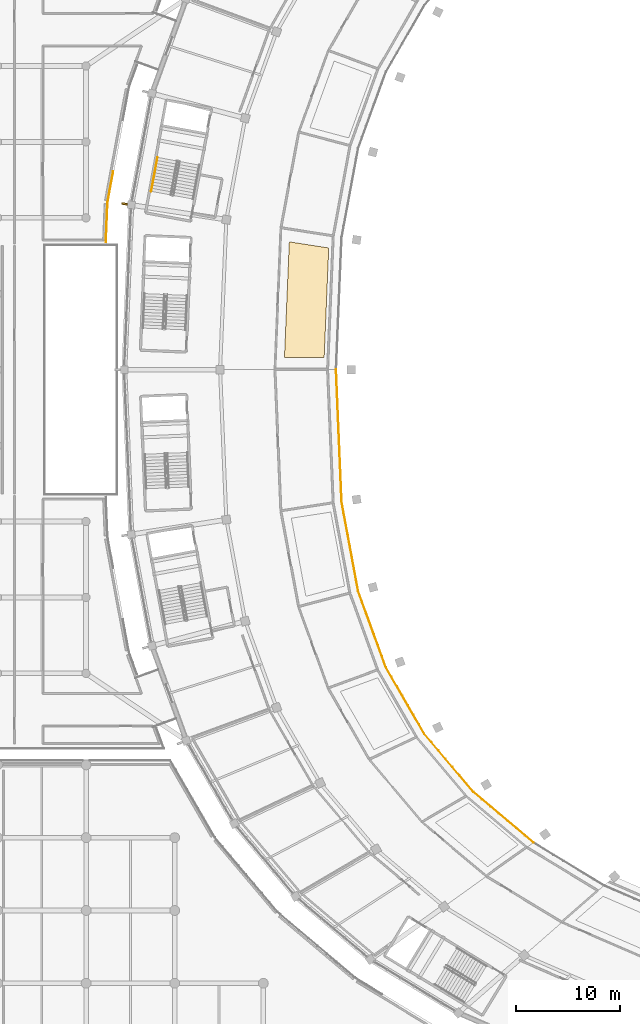
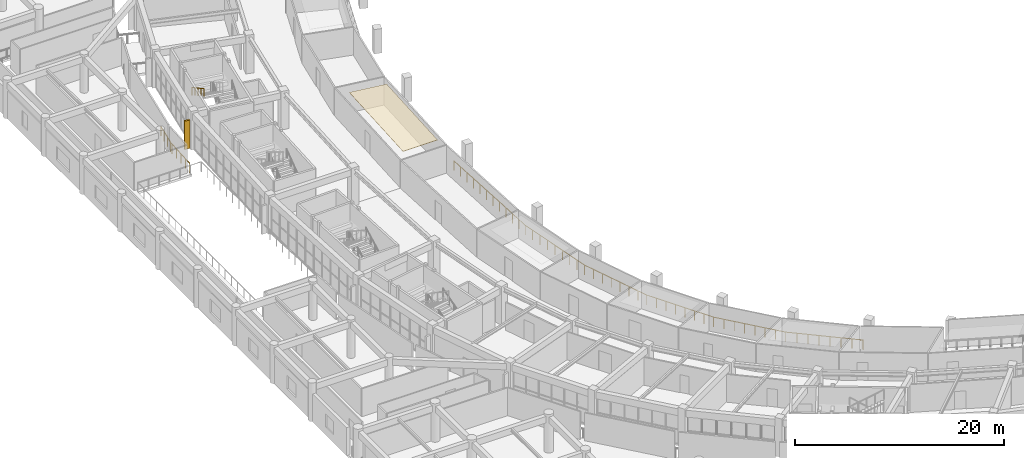
# One storey, part 122 of 141: 3 railings, 1 covering, 1 shading device.
"""IFC4 building model written with IfcOpenShell, lengths in metres."""

import ifcopenshell
import ifcopenshell.guid

model = None  # the IFC model being written
_history = None  # IfcOwnerHistory: only IFC2X3 demands one
_inside = {}  # id of a spatial element -> (the spatial element, [elements in it])
_under = {}  # id of a project, library or spatial element -> (it, [spatial elements below it])
_declared = {}  # id of a project -> (the project, [libraries it declares])
_typed = {}  # id of a type object -> (the type object, [elements of that type])
_made_of = {}  # id of a material, layer set ... -> (it, [elements and type objects made of it])


def new_model(schema):
    """Start an empty IFC model of exactly this schema.

    Asked for "IFC4X3", IfcOpenShell would pick the latest addendum, in which some entities
    have other attributes; the version numbers below select the first issue.
    IFC2X3 requires an IfcOwnerHistory on every rooted entity: one is made here for all.
    """
    global model, _history
    if schema == "IFC4X3":
        model = ifcopenshell.file(schema_version=(4, 3, 0, 0))
    else:
        model = ifcopenshell.file(schema=schema)
    _inside.clear()
    _under.clear()
    _declared.clear()
    _typed.clear()
    _made_of.clear()
    _history = None
    if model.schema == "IFC2X3":
        org = make("IfcOrganization", Name="unknown")
        user = make(
            "IfcPersonAndOrganization",
            ThePerson=make("IfcPerson", FamilyName="unknown"),
            TheOrganization=org,
        )
        app = make(
            "IfcApplication",
            ApplicationDeveloper=org,
            Version="unknown",
            ApplicationFullName="unknown",
            ApplicationIdentifier="unknown",
        )
        _history = make(
            "IfcOwnerHistory",
            OwningUser=user,
            OwningApplication=app,
            ChangeAction="ADDED",
            CreationDate=0,
        )
    return model


def make(cls, **values):
    """One entity of the class cls with the attributes given. An attribute that is None is left unset."""
    return model.create_entity(
        cls, **{name: value for name, value in values.items() if value is not None}
    )


def rooted(cls, **values):
    """An entity with a GlobalId (a new one), such as an element, a storey or a relation."""
    return make(cls, GlobalId=ifcopenshell.guid.new(), OwnerHistory=_history, **values)


def si_unit(unit_type, name, prefix=None):
    """IfcSIUnit, for example si_unit("LENGTHUNIT", "METRE", prefix="MILLI")."""
    return make("IfcSIUnit", UnitType=unit_type, Prefix=prefix, Name=name)


def assignment(units):
    """IfcUnitAssignment: the units of a project."""
    return None if units is None else make("IfcUnitAssignment", Units=units)


def point(xyz):
    """IfcCartesianPoint."""
    return None if xyz is None else make("IfcCartesianPoint", Coordinates=xyz)


def direction(xyz):
    """IfcDirection."""
    return None if xyz is None else make("IfcDirection", DirectionRatios=xyz)


def frame(location, z_axis=None, x_axis=None):
    """IfcAxis2Placement3D, a coordinate frame: its origin and axes. An axis left out is left unset."""
    return make(
        "IfcAxis2Placement3D",
        Location=point(location),
        Axis=direction(z_axis),
        RefDirection=direction(x_axis),
    )


def frame_2d(location, x_axis=None):
    """IfcAxis2Placement2D, a coordinate frame in the plane: its origin and x axis."""
    return make(
        "IfcAxis2Placement2D", Location=point(location), RefDirection=direction(x_axis)
    )


def origin():
    """The frame at (0, 0, 0) with its axes left unset."""
    return frame((0.0, 0.0, 0.0))


def origin_2d():
    """The frame at (0, 0) in the plane with its x axis left unset."""
    return frame_2d((0.0, 0.0))


def place(relative_to, where):
    """IfcLocalPlacement: puts the frame where relative to a parent placement (None: the world)."""
    return make(
        "IfcLocalPlacement", PlacementRelTo=relative_to, RelativePlacement=where
    )


def context(
    kind, dimensions, precision=None, world=None, true_north=None, identifier=None
):
    """IfcGeometricRepresentationContext, for example the 3D "Model" context."""
    return make(
        "IfcGeometricRepresentationContext",
        ContextIdentifier=identifier,
        ContextType=kind,
        CoordinateSpaceDimension=dimensions,
        Precision=precision,
        WorldCoordinateSystem=world,
        TrueNorth=true_north,
    )


def subcontext(parent, identifier, kind, view, scale=None):
    """IfcGeometricRepresentationSubContext, for example "Body" below "Model"."""
    return make(
        "IfcGeometricRepresentationSubContext",
        ContextIdentifier=identifier,
        ContextType=kind,
        ParentContext=parent,
        TargetScale=scale,
        TargetView=view,
    )


def project(units=None, contexts=None):
    """IfcProject with its units and contexts."""
    return rooted(
        "IfcProject",
        Name="project",
        RepresentationContexts=contexts,
        UnitsInContext=assignment(units),
    )


def spatial(cls, under=None, at=None, **own):
    """A site, building, storey or space (cls), placed at a placement, below another one or the project."""
    s = rooted(cls, ObjectPlacement=at, **own)
    if under is not None:
        _under.setdefault(under.id(), (under, []))[1].append(s)
    return s


def polyline(points):
    """IfcPolyline through the points."""
    return make("IfcPolyline", Points=[point(p) for p in points])


def profile(cls, at=None, kind="AREA", **sizes):
    """A parametric profile (cls). Its sizes go by their IFC names, for example OverallWidth=200.0."""
    return make(cls, ProfileType=kind, Position=at, **sizes)


def rectangle(**sizes):
    """IfcRectangleProfileDef."""
    return profile("IfcRectangleProfileDef", **sizes)


def circle(**sizes):
    """IfcCircleProfileDef."""
    return profile("IfcCircleProfileDef", **sizes)


def outline(outer, holes=None, kind="AREA"):
    """IfcArbitraryClosedProfileDef: a profile drawn as a closed curve; with holes, ...WithVoids."""
    if holes is None:
        return make("IfcArbitraryClosedProfileDef", ProfileType=kind, OuterCurve=outer)
    return make(
        "IfcArbitraryProfileDefWithVoids",
        ProfileType=kind,
        OuterCurve=outer,
        InnerCurves=holes,
    )


def extrude(swept, where, along, depth):
    """IfcExtrudedAreaSolid: the profile swept, set in the frame where, extruded along a direction by depth."""
    return make(
        "IfcExtrudedAreaSolid",
        SweptArea=swept,
        Position=where,
        ExtrudedDirection=direction(along),
        Depth=depth,
    )


def shape(context_of_items, identifier, shape_type, items):
    """IfcShapeRepresentation: the items that make up one representation, for example the "Body"."""
    return make(
        "IfcShapeRepresentation",
        ContextOfItems=context_of_items,
        RepresentationIdentifier=identifier,
        RepresentationType=shape_type,
        Items=items,
    )


def material(Name=None, Category=None):
    """IfcMaterial."""
    return make("IfcMaterial", Name=Name, Category=Category)


def layer(
    of_material, thickness, ventilated=None, Name=None, Category=None, Priority=None
):
    """IfcMaterialLayer: one layer of a wall or slab, of a material (None: an air gap)."""
    return make(
        "IfcMaterialLayer",
        Material=of_material,
        LayerThickness=thickness,
        IsVentilated=ventilated,
        Name=Name,
        Category=Category,
        Priority=Priority,
    )


def layer_set(layers, Name=None):
    """IfcMaterialLayerSet."""
    return make("IfcMaterialLayerSet", MaterialLayers=layers, LayerSetName=Name)


def made_of(thing, what):
    """Note that an element or type object is made of a material, layer set ...; save() writes the relation."""
    if what is not None:
        _made_of.setdefault(what.id(), (what, []))[1].append(thing)
    return thing


def type_object(cls, material=None, **own):
    """A type object (cls), such as IfcWallType, which elements share."""
    return made_of(rooted(cls, **own), material)


def element(
    cls,
    number,
    at=None,
    inside=None,
    cuts=None,
    type_object=None,
    material=None,
    context=None,
    identifier="Body",
    shape_type=None,
    held_by="IfcProductDefinitionShape",
    body=None,
    shapes=None,
    **own,
):
    """One element of the class cls, such as IfcWall. Its Tag is "e" and its number.

    at: its placement. inside: the storey or other place that contains it. cuts: it is an
    opening in that element (IfcRelVoidsElement). A single representation is given by context,
    identifier, shape_type and body (its items); several are given by shapes. held_by: the class
    of the entity that holds the representations. save() writes the other relations.
    """
    e = rooted(cls, Tag="e%d" % number, ObjectPlacement=at, **own)
    if body is not None:
        shapes = [shape(context, identifier, shape_type, body)]
    if shapes is not None:
        e.Representation = make(held_by, Representations=shapes)
    if inside is not None:
        _inside.setdefault(inside.id(), (inside, []))[1].append(e)
    if cuts is not None:
        rooted(
            "IfcRelVoidsElement", RelatingBuildingElement=cuts, RelatedOpeningElement=e
        )
    if type_object is not None:
        _typed.setdefault(type_object.id(), (type_object, []))[1].append(e)
    return made_of(e, material)


def aggregate(whole, parts):
    """IfcRelAggregates: a whole, such as a stair, and the parts it consists of."""
    return rooted("IfcRelAggregates", RelatingObject=whole, RelatedObjects=parts)


def save(model, path):
    """Write the relations noted so far, then the file.

    IfcRelAggregates (storeys below a building ...), IfcRelContainedInSpatialStructure (elements
    in a storey), IfcRelDefinesByType, IfcRelAssociatesMaterial and IfcRelDeclares: one each for
    every whole, place, type object, material and project.
    """
    for whole, parts in _under.values():
        aggregate(whole, parts)
    for where, things in _inside.values():
        rooted(
            "IfcRelContainedInSpatialStructure",
            RelatedElements=things,
            RelatingStructure=where,
        )
    for kind, things in _typed.values():
        rooted("IfcRelDefinesByType", RelatedObjects=things, RelatingType=kind)
    for what, things in _made_of.values():
        rooted("IfcRelAssociatesMaterial", RelatedObjects=things, RelatingMaterial=what)
    for by, libraries in _declared.values():
        rooted("IfcRelDeclares", RelatingContext=by, RelatedDefinitions=libraries)
    model.write(path)


model = new_model("IFC4")

# Units and contexts
model_context = context("Model", 3, precision=1e-05, world=origin(), true_north=direction((0.0, 1.0)))
body_context = subcontext(model_context, "Body", "Model", "MODEL_VIEW")
ifc_project = project(units=[si_unit("LENGTHUNIT", "METRE"), si_unit("AREAUNIT", "SQUARE_METRE"), si_unit("VOLUMEUNIT", "CUBIC_METRE"), si_unit("PLANEANGLEUNIT", "RADIAN"), si_unit("MASSUNIT", "GRAM", prefix="KILO")], contexts=[model_context])

# Site, building, storey
site_placement = place(None, origin())
site = spatial("IfcSite", under=ifc_project, at=site_placement, CompositionType="ELEMENT")
building_placement = place(site_placement, origin())
building = spatial("IfcBuilding", under=site, at=building_placement, Name="Mphavela Belvedere Stadium", CompositionType="ELEMENT")
storey_placement = place(building_placement, frame((0.0, 0.0, 14.699951171875)))
storey = spatial("IfcBuildingStorey", under=building, at=storey_placement, Name="L03", CompositionType="ELEMENT", Elevation=14.699951171875)

# Covering
ifc_material_1 = material(Name="Perforated acoustic mineral ceiling tile")
ifc_layer = layer(ifc_material_1, 0.0400390625)
ifc_layer_set = layer_set([ifc_layer], Name="Perforated acoustic mineral ceiling tile")
covering_type = type_object("IfcCoveringType", Name="COV-CEILING-ACOUSTIC", PredefinedType="CEILING", material=ifc_layer_set)
covering_placement = place(storey_placement, frame((0.0, 0.0, 3.199951171875)))
element("IfcCovering", 1, at=covering_placement, inside=storey, type_object=covering_type, Name="Concourse acoustic ceiling L03-24", PredefinedType="CEILING", context=body_context, shape_type="SweptSolid", body=[
    extrude(outline(polyline([(31.845703125, 98.70361328125), (31.40478515625, 88.1865234375), (27.5869140625, 88.1865234375), (28.052490234375, 99.291748046875), (31.845703125, 98.70361328125)])), origin(), (0.0, 0.0, 1.0), 0.0400390625),
])

# Railings
ifc_material_2 = material(Name="Bronze and laminated glass stadium balustrade", Category="glass")
railing_type_1 = type_object("IfcRailingType", Name="RAL-BALUSTRADE-1120", PredefinedType="BALUSTRADE", material=ifc_material_2)
railing_1_placement = place(storey_placement, frame((32.550048828125, 87.0, 0.0)))
element("IfcRailing", 2, at=railing_1_placement, inside=storey, type_object=railing_type_1, Name="Bowl safety balustrade l03_bowl S5", PredefinedType="BALUSTRADE", context=body_context, shape_type="SweptSolid", body=[
    extrude(circle(Radius=0.02392578125, at=origin_2d()), frame((0.0, 0.0, 1.09619140625), z_axis=(0.041909230152, -0.999121422265, 0.0), x_axis=(0.999121422265, 0.041909230152, 0.0)), (0.0, 0.0, 1.0), 12.717041015625),
    extrude(circle(Radius=0.02392578125, at=origin_2d()), frame((0.532958984375, -12.705810546875, 1.09619140625), z_axis=(0.182605307463, -0.983186300599, 0.0), x_axis=(0.983186300599, 0.182605307463, 0.0)), (0.0, 0.0, 1.0), 8.7412109375),
    extrude(circle(Radius=0.02392578125, at=origin_2d()), frame((2.129150390625, -21.300048828125, 1.09619140625), z_axis=(0.341057611605, -0.940042395622, 0.0), x_axis=(0.940042395622, 0.341057611605, 0.0)), (0.0, 0.0, 1.0), 7.77978515625),
    extrude(circle(Radius=0.02392578125, at=origin_2d()), frame((4.782470703125, -28.61328125, 1.09619140625), z_axis=(0.500554399388, -0.865705084456, 0.0), x_axis=(0.865705084456, 0.500554399388, 0.0)), (0.0, 0.0, 1.0), 7.390625),
    extrude(circle(Radius=0.02392578125, at=origin_2d()), frame((8.48193359375, -35.011474609375, 1.09619140625), z_axis=(0.645170891965, -0.764038297575, 0.0), x_axis=(0.764038297575, 0.645170891965, 0.0)), (0.0, 0.0, 1.0), 7.338623046875),
    extrude(circle(Radius=0.02392578125, at=origin_2d()), frame((13.216552734375, -40.618408203125, 1.09619140625), z_axis=(0.764258051407, -0.644910560356, 0.0), x_axis=(0.644910560356, 0.764258051407, 0.0)), (0.0, 0.0, 1.0), 7.5361328125),
    extrude(circle(Radius=0.02099609375, at=origin_2d()), origin(), (0.0, 0.0, 1.0), 1.072021484375),
    extrude(circle(Radius=0.02099609375, at=origin_2d()), frame((0.04833984375, -1.155029296875, 0.0)), (0.0, 0.0, 1.0), 1.072021484375),
    extrude(circle(Radius=0.02099609375, at=origin_2d()), frame((0.096923828125, -2.31005859375, 0.0)), (0.0, 0.0, 1.0), 1.072021484375),
    extrude(circle(Radius=0.02099609375, at=origin_2d()), frame((0.145263671875, -3.46533203125, 0.0)), (0.0, 0.0, 1.0), 1.072021484375),
    extrude(circle(Radius=0.02099609375, at=origin_2d()), frame((0.19384765625, -4.620361328125, 0.0)), (0.0, 0.0, 1.0), 1.072021484375),
    extrude(circle(Radius=0.02099609375, at=origin_2d()), frame((0.2421875, -5.775390625, 0.0)), (0.0, 0.0, 1.0), 1.072021484375),
    extrude(circle(Radius=0.02099609375, at=origin_2d()), frame((0.290771484375, -6.930419921875, 0.0)), (0.0, 0.0, 1.0), 1.072021484375),
    extrude(circle(Radius=0.02099609375, at=origin_2d()), frame((0.339111328125, -8.08544921875, 0.0)), (0.0, 0.0, 1.0), 1.072021484375),
    extrude(circle(Radius=0.02099609375, at=origin_2d()), frame((0.3876953125, -9.240478515625, 0.0)), (0.0, 0.0, 1.0), 1.072021484375),
    extrude(circle(Radius=0.02099609375, at=origin_2d()), frame((0.43603515625, -10.395751953125, 0.0)), (0.0, 0.0, 1.0), 1.072021484375),
    extrude(circle(Radius=0.02099609375, at=origin_2d()), frame((0.484619140625, -11.55078125, 0.0)), (0.0, 0.0, 1.0), 1.072021484375),
    extrude(circle(Radius=0.02099609375, at=origin_2d()), frame((0.532958984375, -12.705810546875, 0.0)), (0.0, 0.0, 1.0), 1.072021484375),
    extrude(circle(Radius=0.02099609375, at=origin_2d()), frame((0.732421875, -13.780029296875, 0.0)), (0.0, 0.0, 1.0), 1.072021484375),
    extrude(circle(Radius=0.02099609375, at=origin_2d()), frame((0.93212890625, -14.8544921875, 0.0)), (0.0, 0.0, 1.0), 1.072021484375),
    extrude(circle(Radius=0.02099609375, at=origin_2d()), frame((1.131591796875, -15.9287109375, 0.0)), (0.0, 0.0, 1.0), 1.072021484375),
    extrude(circle(Radius=0.02099609375, at=origin_2d()), frame((1.3310546875, -17.0029296875, 0.0)), (0.0, 0.0, 1.0), 1.072021484375),
    extrude(circle(Radius=0.02099609375, at=origin_2d()), frame((1.530517578125, -18.0771484375, 0.0)), (0.0, 0.0, 1.0), 1.072021484375),
    extrude(circle(Radius=0.02099609375, at=origin_2d()), frame((1.72998046875, -19.1513671875, 0.0)), (0.0, 0.0, 1.0), 1.072021484375),
    extrude(circle(Radius=0.02099609375, at=origin_2d()), frame((1.9296875, -20.225830078125, 0.0)), (0.0, 0.0, 1.0), 1.072021484375),
    extrude(circle(Radius=0.02099609375, at=origin_2d()), frame((2.129150390625, -21.300048828125, 0.0)), (0.0, 0.0, 1.0), 1.072021484375),
    extrude(circle(Radius=0.02099609375, at=origin_2d()), frame((2.50830078125, -22.3447265625, 0.0)), (0.0, 0.0, 1.0), 1.072021484375),
    extrude(circle(Radius=0.02099609375, at=origin_2d()), frame((2.88720703125, -23.3896484375, 0.0)), (0.0, 0.0, 1.0), 1.072021484375),
    extrude(circle(Radius=0.02099609375, at=origin_2d()), frame((3.266357421875, -24.434326171875, 0.0)), (0.0, 0.0, 1.0), 1.072021484375),
    extrude(circle(Radius=0.02099609375, at=origin_2d()), frame((3.645263671875, -25.47900390625, 0.0)), (0.0, 0.0, 1.0), 1.072021484375),
    extrude(circle(Radius=0.02099609375, at=origin_2d()), frame((4.0244140625, -26.523681640625, 0.0)), (0.0, 0.0, 1.0), 1.072021484375),
    extrude(circle(Radius=0.02099609375, at=origin_2d()), frame((4.4033203125, -27.568603515625, 0.0)), (0.0, 0.0, 1.0), 1.072021484375),
    extrude(circle(Radius=0.02099609375, at=origin_2d()), frame((4.782470703125, -28.61328125, 0.0)), (0.0, 0.0, 1.0), 1.072021484375),
    extrude(circle(Radius=0.02099609375, at=origin_2d()), frame((5.31103515625, -29.52734375, 0.0)), (0.0, 0.0, 1.0), 1.072021484375),
    extrude(circle(Radius=0.02099609375, at=origin_2d()), frame((5.83935546875, -30.44140625, 0.0)), (0.0, 0.0, 1.0), 1.072021484375),
    extrude(circle(Radius=0.02099609375, at=origin_2d()), frame((6.367919921875, -31.35546875, 0.0)), (0.0, 0.0, 1.0), 1.072021484375),
    extrude(circle(Radius=0.02099609375, at=origin_2d()), frame((6.896484375, -32.269287109375, 0.0)), (0.0, 0.0, 1.0), 1.072021484375),
    extrude(circle(Radius=0.02099609375, at=origin_2d()), frame((7.425048828125, -33.183349609375, 0.0)), (0.0, 0.0, 1.0), 1.072021484375),
    extrude(circle(Radius=0.02099609375, at=origin_2d()), frame((7.953369140625, -34.097412109375, 0.0)), (0.0, 0.0, 1.0), 1.072021484375),
    extrude(circle(Radius=0.02099609375, at=origin_2d()), frame((8.48193359375, -35.011474609375, 0.0)), (0.0, 0.0, 1.0), 1.072021484375),
    extrude(circle(Radius=0.02099609375, at=origin_2d()), frame((9.158203125, -35.8125, 0.0)), (0.0, 0.0, 1.0), 1.072021484375),
    extrude(circle(Radius=0.02099609375, at=origin_2d()), frame((9.834716796875, -36.613525390625, 0.0)), (0.0, 0.0, 1.0), 1.072021484375),
    extrude(circle(Radius=0.02099609375, at=origin_2d()), frame((10.510986328125, -37.41455078125, 0.0)), (0.0, 0.0, 1.0), 1.072021484375),
    extrude(circle(Radius=0.02099609375, at=origin_2d()), frame((11.1875, -38.21533203125, 0.0)), (0.0, 0.0, 1.0), 1.072021484375),
    extrude(circle(Radius=0.02099609375, at=origin_2d()), frame((11.86376953125, -39.016357421875, 0.0)), (0.0, 0.0, 1.0), 1.072021484375),
    extrude(circle(Radius=0.02099609375, at=origin_2d()), frame((12.540283203125, -39.8173828125, 0.0)), (0.0, 0.0, 1.0), 1.072021484375),
    extrude(circle(Radius=0.02099609375, at=origin_2d()), frame((13.216552734375, -40.618408203125, 0.0)), (0.0, 0.0, 1.0), 1.072021484375),
    extrude(circle(Radius=0.02099609375, at=origin_2d()), frame((14.039306640625, -41.312744140625, 0.0)), (0.0, 0.0, 1.0), 1.072021484375),
    extrude(circle(Radius=0.02099609375, at=origin_2d()), frame((14.862060546875, -42.007080078125, 0.0)), (0.0, 0.0, 1.0), 1.072021484375),
    extrude(circle(Radius=0.02099609375, at=origin_2d()), frame((15.684814453125, -42.701416015625, 0.0)), (0.0, 0.0, 1.0), 1.072021484375),
    extrude(circle(Radius=0.02099609375, at=origin_2d()), frame((16.5078125, -43.3955078125, 0.0)), (0.0, 0.0, 1.0), 1.072021484375),
    extrude(circle(Radius=0.02099609375, at=origin_2d()), frame((17.33056640625, -44.08984375, 0.0)), (0.0, 0.0, 1.0), 1.072021484375),
    extrude(circle(Radius=0.02099609375, at=origin_2d()), frame((18.1533203125, -44.7841796875, 0.0)), (0.0, 0.0, 1.0), 1.072021484375),
    extrude(circle(Radius=0.02099609375, at=origin_2d()), frame((18.97607421875, -45.478515625, 0.0)), (0.0, 0.0, 1.0), 1.072021484375),
])
railing_2_placement = place(storey_placement, frame((11.12158203125, 106.053466796875, 0.0)))
element("IfcRailing", 3, at=railing_2_placement, inside=storey, type_object=railing_type_1, Name="Peristyle wing gallery edge balustrade L03-55", PredefinedType="BALUSTRADE", context=body_context, shape_type="SweptSolid", body=[
    extrude(circle(Radius=0.02392578125, at=origin_2d()), frame((0.0, 0.0, 1.09619140625), z_axis=(-0.182689544832, -0.983170651621, 0.0), x_axis=(0.983170651621, -0.182689544832, 0.0)), (0.0, 0.0, 1.0), 2.83984375),
    extrude(circle(Radius=0.02392578125, at=origin_2d()), frame((-0.518798828125, -2.7919921875, 1.09619140625), z_axis=(-0.113134174083, -0.993579719325, 0.0), x_axis=(0.993579719325, -0.113134174083, 0.0)), (0.0, 0.0, 1.0), 0.317138671875),
    extrude(circle(Radius=0.02392578125, at=origin_2d()), frame((-0.5546875, -3.107177734375, 1.09619140625), z_axis=(-0.041915584211, -0.999121155716, 0.0), x_axis=(0.999121155716, -0.041915584211, 0.0)), (0.0, 0.0, 1.0), 3.66943359375),
    extrude(circle(Radius=0.02099609375, at=origin_2d()), origin(), (0.0, 0.0, 1.0), 1.072021484375),
    extrude(circle(Radius=0.02099609375, at=origin_2d()), frame((-0.1728515625, -0.9306640625, 0.0)), (0.0, 0.0, 1.0), 1.072021484375),
    extrude(circle(Radius=0.02099609375, at=origin_2d()), frame((-0.345947265625, -1.861328125, 0.0)), (0.0, 0.0, 1.0), 1.072021484375),
    extrude(circle(Radius=0.02099609375, at=origin_2d()), frame((-0.518798828125, -2.7919921875, 0.0)), (0.0, 0.0, 1.0), 1.072021484375),
    extrude(circle(Radius=0.02099609375, at=origin_2d()), frame((-0.5546875, -3.107177734375, 0.0)), (0.0, 0.0, 1.0), 1.072021484375),
    extrude(circle(Radius=0.02099609375, at=origin_2d()), frame((-0.59326171875, -4.023681640625, 0.0)), (0.0, 0.0, 1.0), 1.072021484375),
    extrude(circle(Radius=0.02099609375, at=origin_2d()), frame((-0.631591796875, -4.9404296875, 0.0)), (0.0, 0.0, 1.0), 1.072021484375),
    extrude(circle(Radius=0.02099609375, at=origin_2d()), frame((-0.669921875, -5.85693359375, 0.0)), (0.0, 0.0, 1.0), 1.072021484375),
    extrude(circle(Radius=0.02099609375, at=origin_2d()), frame((-0.70849609375, -6.7734375, 0.0)), (0.0, 0.0, 1.0), 1.072021484375),
])
ifc_material_3 = material(Name="Brushed stainless steel tubular handrail", Category="steel")
railing_type_2 = type_object("IfcRailingType", Name="RAL-HANDRAIL-900", PredefinedType="HANDRAIL", material=ifc_material_3)
railing_3_placement = place(storey_placement, frame((15.380859375, 107.416259765625, 2.4375)))
element("IfcRailing", 4, at=railing_3_placement, inside=storey, type_object=railing_type_2, Name="L03 ST-C06 stair handrail 2", PredefinedType="HANDRAIL", context=body_context, shape_type="SweptSolid", body=[
    extrude(circle(Radius=0.02392578125, at=origin_2d()), frame((0.0, 0.0, 0.8759765625), z_axis=(-0.155087545765, -0.835312509979, 0.52744749864), x_axis=(0.983197592928, -0.182544496661, 0.0)), (0.0, 0.0, 1.0), 3.910400390625),
    extrude(circle(Radius=0.02099609375, at=origin_2d()), origin(), (0.0, 0.0, 1.0), 0.851806640625),
    extrude(circle(Radius=0.02099609375, at=origin_2d()), frame((-0.151611328125, -0.816650390625, 0.515625)), (0.0, 0.0, 1.0), 0.851806640625),
    extrude(circle(Radius=0.02099609375, at=origin_2d()), frame((-0.30322265625, -1.63330078125, 1.03125)), (0.0, 0.0, 1.0), 0.851806640625),
    extrude(circle(Radius=0.02099609375, at=origin_2d()), frame((-0.454833984375, -2.44970703125, 1.546875)), (0.0, 0.0, 1.0), 0.851806640625),
    extrude(circle(Radius=0.02099609375, at=origin_2d()), frame((-0.6064453125, -3.266357421875, 2.0625)), (0.0, 0.0, 1.0), 0.851806640625),
])

# Shading device
ifc_material_4 = material(Name="Honed limestone and bronze vertical brise-soleil fin", Category="masonry")
shading_device_type = type_object("IfcShadingDeviceType", Name="SHD-SOLAR-FIN", PredefinedType="USERDEFINED", material=ifc_material_4)
shading_device_placement = place(storey_placement, frame((12.204345703125, 102.9443359375, 0.0), z_axis=(0.0, 0.0, 1.0), x_axis=(-0.98817491911, 0.153330783737, 0.0)))
element("IfcShadingDevice", 5, at=shading_device_placement, inside=storey, type_object=shading_device_type, Name="Classical vertical solar brise-soleil fin L03-24", ObjectType="SOLAR FIN", PredefinedType="USERDEFINED", context=body_context, shape_type="SweptSolid", body=[
    extrude(rectangle(XDim=0.550048828125, YDim=0.179931640625, at=origin_2d()), origin(), (0.0, 0.0, 1.0), 3.320068359375),
])

save(model, "model.ifc")
